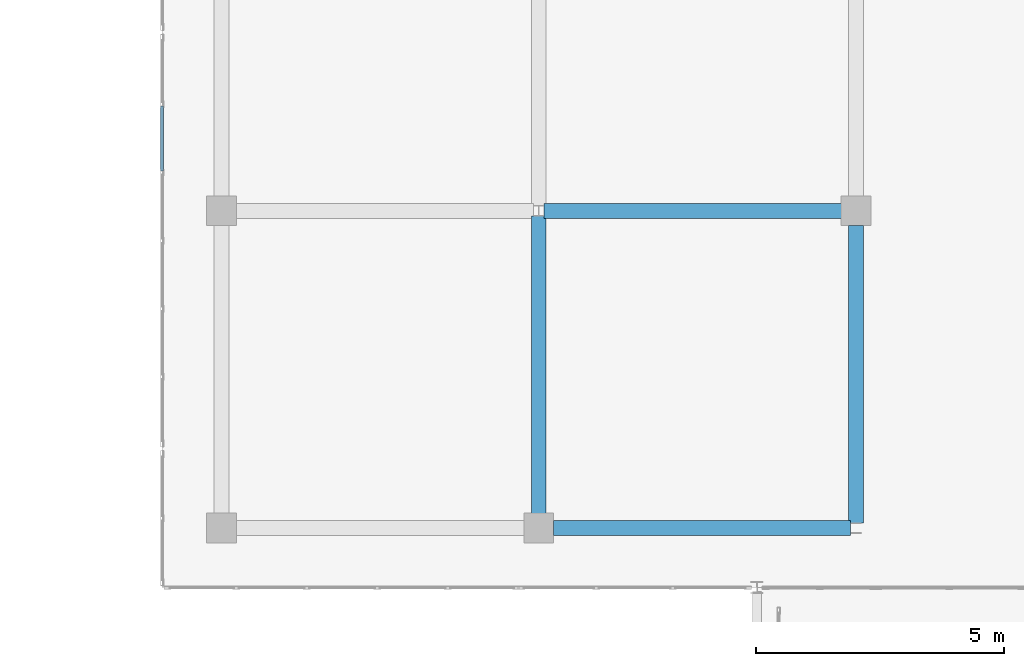
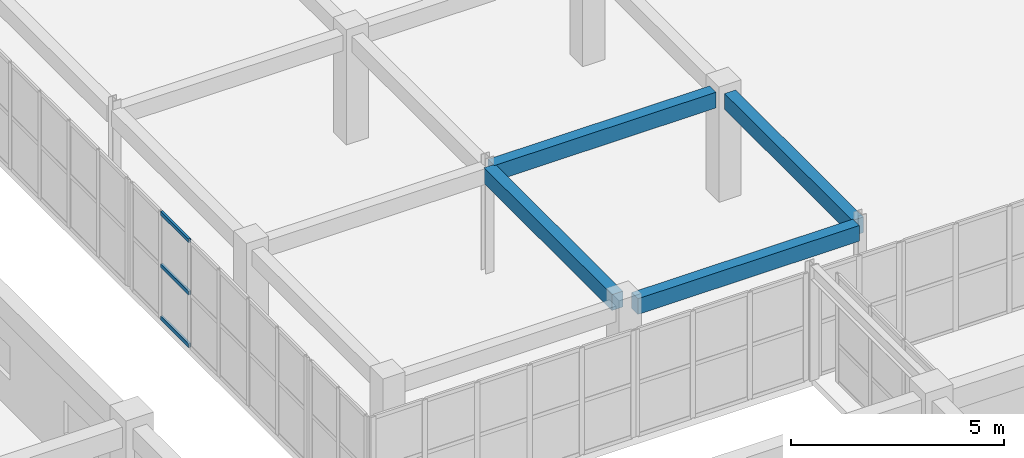
# One storey, part 36 of 200: 4 beams, 3 members, 1 element without a shape of its own.
"""IFC4 building model written with IfcOpenShell, lengths in metres."""

from ifc_helpers import new_model, si_unit, direction, frame, origin, origin_2d, place, context, subcontext, project, spatial, rectangle, hollow_rectangle, extrude, material, layer, layer_set, material_profile, profile_set, type_object, element, aggregate, save


model = new_model("IFC4")

# Units and contexts
model_context = context("Model", 3, precision=1e-05, world=origin(), true_north=direction((0.0, 1.0)))
body_context = subcontext(model_context, "Body", "Model", "MODEL_VIEW")
ifc_project = project(units=[si_unit("LENGTHUNIT", "METRE"), si_unit("AREAUNIT", "SQUARE_METRE"), si_unit("VOLUMEUNIT", "CUBIC_METRE"), si_unit("PLANEANGLEUNIT", "RADIAN"), si_unit("MASSUNIT", "GRAM", prefix="KILO")], contexts=[model_context])

# Site, building, storey
site_placement = place(None, origin())
site = spatial("IfcSite", under=ifc_project, at=site_placement, CompositionType="ELEMENT")
building_placement = place(site_placement, origin())
building = spatial("IfcBuilding", under=site, at=building_placement, Name="Trelvath General Hospital", CompositionType="ELEMENT")
storey_placement = place(building_placement, frame((0.0, 0.0, 4.800048828125)))
storey = spatial("IfcBuildingStorey", under=building, at=storey_placement, Name="L01", CompositionType="ELEMENT", Elevation=4.800048828125)

# Beams
ifc_material_1 = material(Name="Concrete C35/45", Category="concrete")
ifc_material_profile_1 = material_profile(ifc_material_1, rectangle(XDim=0.300048828125, YDim=0.449951171875, at=origin_2d()), Name="RCB300x450")
ifc_profile_set_1 = profile_set([ifc_material_profile_1], Name="Concrete C35/45")
beam_type = type_object("IfcBeamType", Name="Beam RC300x450", PredefinedType="BEAM", material=ifc_profile_set_1)
beam_1_placement = place(storey_placement, frame((54.696044921875, 32.0, 2.8349609375), z_axis=(1.0, 0.0, 0.0), x_axis=(0.0, 1.0, 0.0)))
element("IfcBeam", 1, at=beam_1_placement, inside=storey, type_object=beam_type, Name="Cube Interior Ring Beam CUBE-W-T0 L01", PredefinedType="BEAM", context=body_context, shape_type="SweptSolid", body=[
    extrude(rectangle(XDim=0.300048828125, YDim=0.449951171875, at=origin_2d()), origin(), (0.0, 0.0, 1.0), 5.998046875),
])
beam_2_placement = place(storey_placement, frame((54.506103515625, 38.39990234375, 2.8349609375), z_axis=(1.0, 0.0, 0.0), x_axis=(0.0, 1.0, 0.0)))
element("IfcBeam", 2, at=beam_2_placement, inside=storey, type_object=beam_type, Name="Cube Interior Ring Beam CUBE-W-T0 L01", PredefinedType="BEAM", context=body_context, shape_type="SweptSolid", body=[
    extrude(rectangle(XDim=0.300048828125, YDim=0.449951171875, at=origin_2d()), origin(), (0.0, 0.0, 1.0), 5.997802734375),
])
for number, where, z_axis, x_axis, name in (
    (3, (54.39990234375, 32.2958984375, 2.8349609375), (0.0, 1.0, 0.0), (-1.0, 0.0, 0.0), "Cube Interior Ring Beam CUBE-W-T0 L01"),
    (4, (60.800048828125, 32.10595703125, 2.8349609375), (0.0, 1.0, 0.0), (-1.0, 0.0, 0.0), "Cube Interior Ring Beam CUBE-W-T0 L01"),
):
    element("IfcBeam", number, at=place(storey_placement, frame(where, z_axis=z_axis, x_axis=x_axis)), inside=storey, type_object=beam_type, Name=name, PredefinedType="BEAM", context=body_context, shape_type="SweptSolid", body=[
        extrude(rectangle(XDim=0.300048828125, YDim=0.449951171875, at=origin_2d()), origin(), (0.0, 0.0, 1.0), 5.998046875),
    ])

# Curtain wall, members
ifc_material_2 = material(Name="Anodised aluminium and low-E glass", Category="aluminium")
ifc_layer = layer(ifc_material_2, 0.14990234375)
ifc_layer_set = layer_set([ifc_layer], Name="Anodised aluminium and low-E glass")
curtain_wall_type = type_object("IfcCurtainWallType", Name="CW CrystalCube 824 306 15", PredefinedType="USERDEFINED", material=ifc_layer_set)
curtain_wall_placement = place(storey_placement, origin())
curtain_wall = element("IfcCurtainWall", 5, at=curtain_wall_placement, inside=storey, type_object=curtain_wall_type, Name="Crystal Cube Curtain Wall CUBE-W-T0 W2 L01", ObjectType="Unitised Glazed Curtain Wall", PredefinedType="USERDEFINED")
ifc_material_3 = material(Name="Anodised aluminium", Category="aluminium")
ifc_material_profile_2 = material_profile(ifc_material_3, hollow_rectangle(XDim=0.06005859375, YDim=0.110107421875, WallThickness=0.00390625, at=origin_2d()), Name="RHS60x110x4")
ifc_profile_set_2 = profile_set([ifc_material_profile_2], Name="Anodised aluminium")
member_type = type_object("IfcMemberType", Name="CurtainTransom 60x110", PredefinedType="USERDEFINED", material=ifc_profile_set_2)
member_1_placement = place(storey_placement, frame((46.800048828125, 39.203369140625, 0.030029296875), z_axis=(0.0, 1.0, 0.0), x_axis=(-1.0, 0.0, 0.0)))
member_1 = element("IfcMember", 6, at=member_1_placement, type_object=member_type, Name="CW-140 transom 5.1", ObjectType="TRANSOM", PredefinedType="USERDEFINED", context=body_context, shape_type="SweptSolid", body=[
    extrude(hollow_rectangle(XDim=0.06005859375, YDim=0.110107421875, WallThickness=0.00390625, at=origin_2d()), origin(), (0.0, 0.0, 1.0), 1.313232421875),
])
member_2_placement = place(storey_placement, frame((46.800048828125, 39.203369140625, 1.530029296875), z_axis=(0.0, 1.0, 0.0), x_axis=(-1.0, 0.0, 0.0)))
member_2 = element("IfcMember", 7, at=member_2_placement, type_object=member_type, Name="CW-140 transom 5.2", ObjectType="TRANSOM", PredefinedType="USERDEFINED", context=body_context, shape_type="SweptSolid", body=[
    extrude(hollow_rectangle(XDim=0.06005859375, YDim=0.110107421875, WallThickness=0.00390625, at=origin_2d()), origin(), (0.0, 0.0, 1.0), 1.313232421875),
])
member_3_placement = place(storey_placement, frame((46.800048828125, 39.203369140625, 3.030029296875), z_axis=(0.0, 1.0, 0.0), x_axis=(-1.0, 0.0, 0.0)))
member_3 = element("IfcMember", 8, at=member_3_placement, type_object=member_type, Name="CW-140 transom 5.3", ObjectType="TRANSOM", PredefinedType="USERDEFINED", context=body_context, shape_type="SweptSolid", body=[
    extrude(hollow_rectangle(XDim=0.06005859375, YDim=0.110107421875, WallThickness=0.00390625, at=origin_2d()), origin(), (0.0, 0.0, 1.0), 1.313232421875),
])
aggregate(curtain_wall, [member_1, member_2, member_3])

save(model, "model.ifc")
